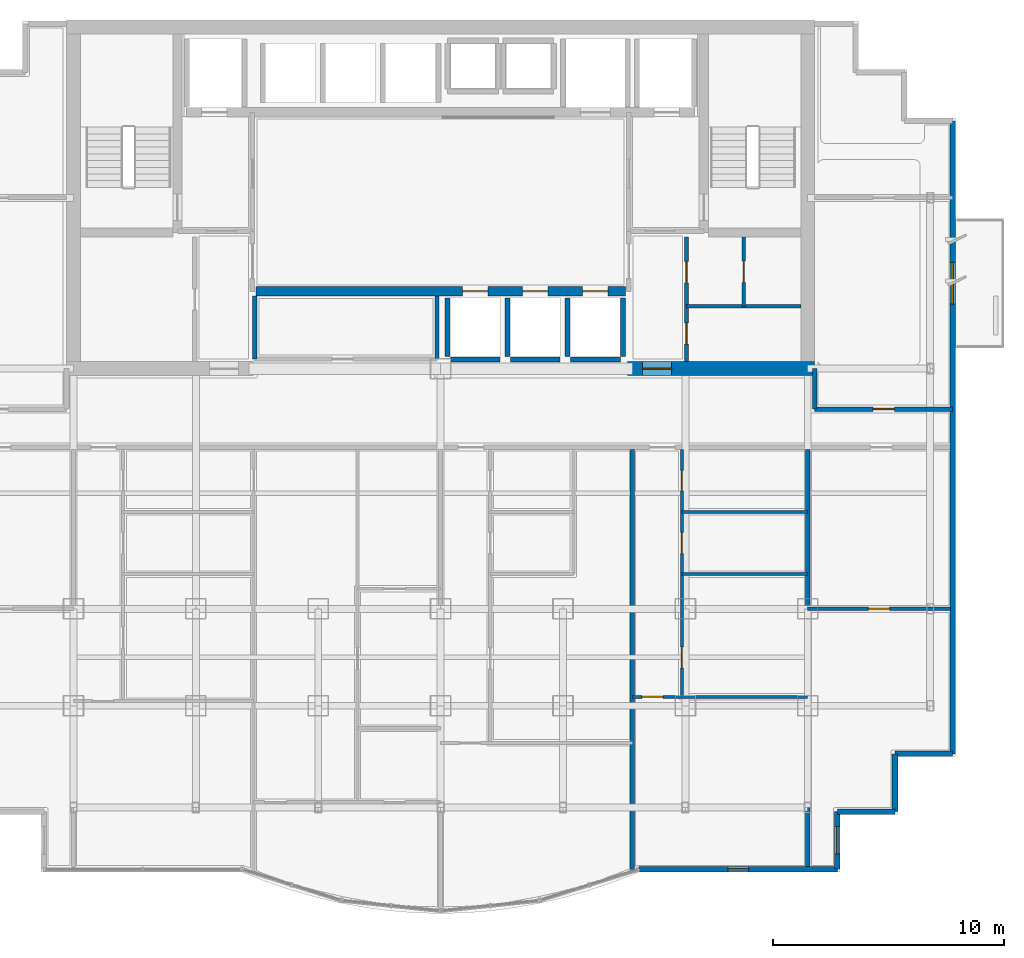
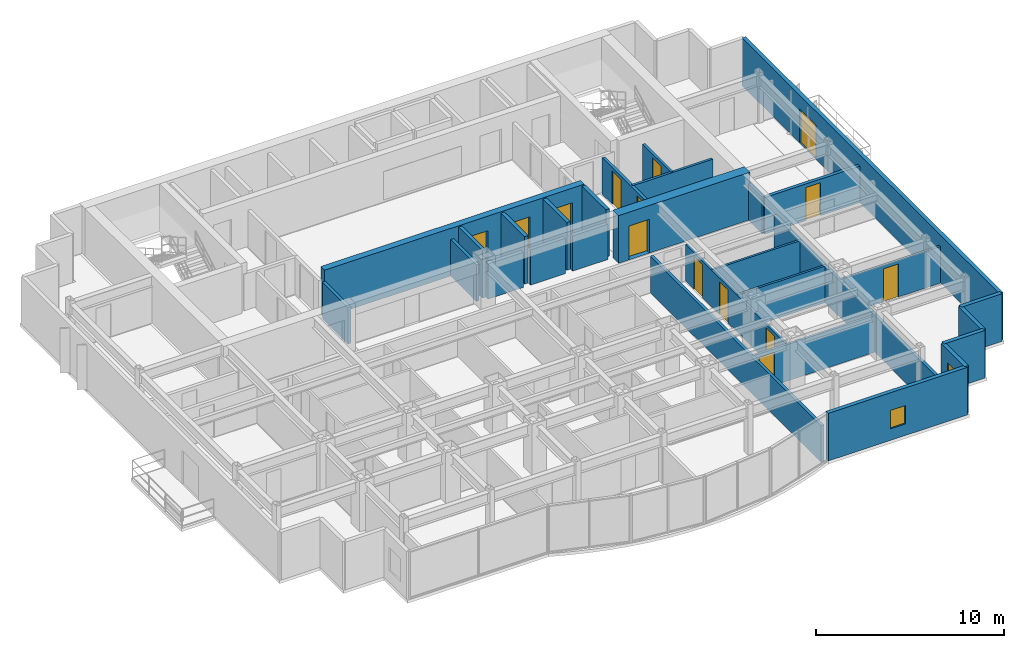
# One storey, part 7 of 11: 29 walls, 14 doors, 2 windows, 16 openings.
"""IFC4 building model written with IfcOpenShell, lengths in metres."""

from ifc_helpers import new_model, si_unit, direction, frame, frame_2d, origin, place, context, subcontext, project, spatial, rectangle, extrude, material, layer, layer_set, type_object, element, fill, save


model = new_model("IFC4")

# Units and contexts
model_context = context("Model", 3, precision=1e-05, world=origin(), true_north=direction((0.0, 1.0)))
body_context = subcontext(model_context, "Body", "Model", "MODEL_VIEW")
ifc_project = project(units=[si_unit("LENGTHUNIT", "METRE"), si_unit("AREAUNIT", "SQUARE_METRE"), si_unit("VOLUMEUNIT", "CUBIC_METRE"), si_unit("PLANEANGLEUNIT", "RADIAN"), si_unit("MASSUNIT", "GRAM", prefix="KILO")], contexts=[model_context])

# Site, building, storey
site_placement = place(None, origin())
site = spatial("IfcSite", under=ifc_project, at=site_placement, CompositionType="ELEMENT")
building_placement = place(site_placement, origin())
building = spatial("IfcBuilding", under=site, at=building_placement, Name="Qianlan Lanfeng Residences", CompositionType="ELEMENT")
storey_placement = place(building_placement, frame((0.0, 0.0, 155.699951171875)))
storey = spatial("IfcBuildingStorey", under=building, at=storey_placement, Name="L42", CompositionType="ELEMENT", Elevation=155.699951171875)

# Wall, openings, doors
ifc_material_1 = material(Name="Concrete C56", Category="concrete")
ifc_layer_1 = layer(ifc_material_1, 0.39990234375)
ifc_layer_set_1 = layer_set([ifc_layer_1], Name="Concrete C56")
wall_type_1 = type_object("IfcWallType", Name="CW-RC-400", PredefinedType="SHEAR", material=ifc_layer_set_1)
wall_1_placement = place(storey_placement, frame((18.5, 28.550048828125, 0.0), z_axis=(0.0, 0.0, 1.0), x_axis=(1.0, 0.0, 0.0)))
wall_1 = element("IfcWall", 1, at=wall_1_placement, inside=storey, type_object=wall_type_1, Name="L42 Core Shear Wall LBS", PredefinedType="SHEAR", context=body_context, shape_type="SweptSolid", body=[
    extrude(rectangle(XDim=16.0, YDim=0.39990234375, at=frame_2d((8.0, 0.0))), origin(), (0.0, 0.0, 1.0), 3.10009765625),
])
opening_1_placement = place(wall_1_placement, frame((8.949951171875, 0.0, 0.0)))
opening_1 = element("IfcOpeningElement", 2, at=opening_1_placement, cuts=wall_1, Name="Opening L42-LD-PL-M1", PredefinedType="OPENING", context=body_context, shape_type="SweptSolid", body=[
    extrude(rectangle(XDim=1.10009765625, YDim=2.14990234375, at=frame_2d((0.550048828125, 1.074951171875))), frame((0.0, 0.2099609375, 0.0), z_axis=(0.0, -1.0, 0.0), x_axis=(1.0, 0.0, 0.0)), (0.0, 0.0, 1.0), 0.419921875),
])
opening_2_placement = place(wall_1_placement, frame((11.550048828125, 0.0, 0.0)))
opening_2 = element("IfcOpeningElement", 3, at=opening_2_placement, cuts=wall_1, Name="Opening L42-LD-PL-M2", PredefinedType="OPENING", context=body_context, shape_type="SweptSolid", body=[
    extrude(rectangle(XDim=1.10009765625, YDim=2.14990234375, at=frame_2d((0.550048828125, 1.074951171875))), frame((0.0, 0.2099609375, 0.0), z_axis=(0.0, -1.0, 0.0), x_axis=(1.0, 0.0, 0.0)), (0.0, 0.0, 1.0), 0.419921875),
])
opening_3_placement = place(wall_1_placement, frame((14.14990234375, 0.0, 0.0)))
opening_3 = element("IfcOpeningElement", 4, at=opening_3_placement, cuts=wall_1, Name="Opening L42-LD-PL-M3", PredefinedType="OPENING", context=body_context, shape_type="SweptSolid", body=[
    extrude(rectangle(XDim=1.10009765625, YDim=2.14990234375, at=frame_2d((0.550048828125, 1.074951171875))), frame((0.0, 0.2099609375, 0.0), z_axis=(0.0, -1.0, 0.0), x_axis=(1.0, 0.0, 0.0)), (0.0, 0.0, 1.0), 0.419921875),
])
ifc_material_2 = material(Name="Brushed Stainless Steel Sliding Lift Door", Category="steel")
door_type_1 = type_object("IfcDoorType", Name="LD-01", OperationType="NOTDEFINED", PredefinedType="DOOR", material=ifc_material_2)
door_1_placement = place(opening_1_placement, origin())
door_1 = element("IfcDoor", 5, at=door_1_placement, inside=storey, type_object=door_type_1, Name="L42 Elevator PL-M1 Sliding Landing Door", OperationType="DOUBLE_DOOR_SLIDING", OverallHeight=2.14990234375, OverallWidth=1.10009765625, PredefinedType="DOOR", context=body_context, shape_type="SweptSolid", body=[
    extrude(rectangle(XDim=1.10009765625, YDim=2.14990234375, at=frame_2d((0.550048828125, 1.074951171875))), frame((0.0, 0.02490234375, 0.0), z_axis=(0.0, -1.0, 0.0), x_axis=(1.0, 0.0, 0.0)), (0.0, 0.0, 1.0), 0.050048828125),
])
fill(opening_1, door_1)
door_2_placement = place(opening_2_placement, origin())
door_2 = element("IfcDoor", 6, at=door_2_placement, inside=storey, type_object=door_type_1, Name="L42 Elevator PL-M2 Sliding Landing Door", OperationType="DOUBLE_DOOR_SLIDING", OverallHeight=2.14990234375, OverallWidth=1.10009765625, PredefinedType="DOOR", context=body_context, shape_type="SweptSolid", body=[
    extrude(rectangle(XDim=1.10009765625, YDim=2.14990234375, at=frame_2d((0.550048828125, 1.074951171875))), frame((0.0, 0.02490234375, 0.0), z_axis=(0.0, -1.0, 0.0), x_axis=(1.0, 0.0, 0.0)), (0.0, 0.0, 1.0), 0.050048828125),
])
fill(opening_2, door_2)
door_3_placement = place(opening_3_placement, origin())
door_3 = element("IfcDoor", 7, at=door_3_placement, inside=storey, type_object=door_type_1, Name="L42 Elevator PL-M3 Sliding Landing Door", OperationType="DOUBLE_DOOR_SLIDING", OverallHeight=2.14990234375, OverallWidth=1.10009765625, PredefinedType="DOOR", context=body_context, shape_type="SweptSolid", body=[
    extrude(rectangle(XDim=1.10009765625, YDim=2.14990234375, at=frame_2d((0.550048828125, 1.074951171875))), frame((0.0, 0.02490234375, 0.0), z_axis=(0.0, -1.0, 0.0), x_axis=(1.0, 0.0, 0.0)), (0.0, 0.0, 1.0), 0.050048828125),
])
fill(opening_3, door_3)

# Wall, opening, door
ifc_layer_2 = layer(ifc_material_1, 0.60009765625)
ifc_layer_set_2 = layer_set([ifc_layer_2], Name="Concrete C56")
wall_type_2 = type_object("IfcWallType", Name="CW-RC-600", PredefinedType="SHEAR", material=ifc_layer_set_2)
wall_2_placement = place(storey_placement, frame((34.60009765625, 25.199951171875, 0.0), z_axis=(0.0, 0.0, 1.0), x_axis=(1.0, 0.0, 0.0)))
wall_2 = element("IfcWall", 8, at=wall_2_placement, inside=storey, type_object=wall_type_2, Name="L42 Core Shear Wall SE", PredefinedType="SHEAR", context=body_context, shape_type="SweptSolid", body=[
    extrude(rectangle(XDim=8.099853515625, YDim=0.60009765625, at=frame_2d((4.0498046875, 0.0))), origin(), (0.0, 0.0, 1.0), 3.10009765625),
])
opening_4_placement = place(wall_2_placement, frame((0.64990234375, 0.0, 0.0)))
opening_4 = element("IfcOpeningElement", 9, at=opening_4_placement, cuts=wall_2, Name="Opening L42-D02", PredefinedType="OPENING", context=body_context, shape_type="SweptSolid", body=[
    extrude(rectangle(XDim=1.25, YDim=2.199951171875, at=frame_2d((0.625, 1.10009765625))), frame((0.0, 0.31005859375, 0.0), z_axis=(0.0, -1.0, 0.0), x_axis=(1.0, 0.0, 0.0)), (0.0, 0.0, 1.0), 0.6201171875),
])
ifc_material_3 = material(Name="Painted Galvanised Steel Fire Door", Category="steel")
door_type_2 = type_object("IfcDoorType", Name="DT-FFL", OperationType="NOTDEFINED", PredefinedType="DOOR", material=ifc_material_3)
door_4_placement = place(opening_4_placement, frame((1.25, 0.0, 0.0), z_axis=(0.0, 0.0, 1.0), x_axis=(-1.0, 0.0, 0.0)))
door_4 = element("IfcDoor", 10, at=door_4_placement, inside=storey, type_object=door_type_2, Name="L42 East Core Lobby Smoke Door L42-D02 (DT-FFL)", OperationType="SINGLE_SWING_LEFT", OverallHeight=2.199951171875, OverallWidth=1.25, PredefinedType="DOOR", context=body_context, shape_type="SweptSolid", body=[
    extrude(rectangle(XDim=1.25, YDim=2.199951171875, at=frame_2d((0.625, 1.10009765625))), frame((0.0, 0.02490234375, 0.0), z_axis=(0.0, -1.0, 0.0), x_axis=(1.0, 0.0, 0.0)), (0.0, 0.0, 1.0), 0.050048828125),
])
fill(opening_4, door_4)

# Wall, opening, window
ifc_material_4 = material(Name="Concrete C42", Category="concrete")
ifc_layer_3 = layer(ifc_material_4, 0.239990234375)
ifc_layer_set_3 = layer_set([ifc_layer_3], Name="Concrete C42")
wall_type_3 = type_object("IfcWallType", Name="EW-240", PredefinedType="SOLIDWALL", material=ifc_layer_set_3)
wall_3_placement = place(storey_placement, frame((35.096923828125, 3.52001953125, 0.0), z_axis=(0.0, 0.0, 1.0), x_axis=(1.0, 0.0, 0.0)))
wall_3 = element("IfcWall", 11, at=wall_3_placement, inside=storey, type_object=wall_type_3, Name="L42 Exterior Facade Spandrel Wall 5", PredefinedType="SOLIDWALL", context=body_context, shape_type="SweptSolid", body=[
    extrude(rectangle(XDim=8.5830078125, YDim=0.239990234375, at=frame_2d((4.29150390625, 0.0))), origin(), (0.0, 0.0, 1.0), 3.10009765625),
])
opening_5_placement = place(wall_3_placement, frame((3.841064453125, 0.0, 0.75)))
opening_5 = element("IfcOpeningElement", 12, at=opening_5_placement, cuts=wall_3, Name="Opening W-04", PredefinedType="OPENING", context=body_context, shape_type="SweptSolid", body=[
    extrude(rectangle(XDim=0.89990234375, YDim=1.199951171875, at=frame_2d((0.449951171875, 0.60009765625))), frame((0.0, 0.1298828125, 0.0), z_axis=(0.0, -1.0, 0.0), x_axis=(1.0, 0.0, 0.0)), (0.0, 0.0, 1.0), 0.260009765625),
])
ifc_material_5 = material(Name="Anodised Bronze Aluminium Framed Double Glazing", Category="aluminium")
window_type_1 = type_object("IfcWindowType", Name="W-04", PartitioningType="SINGLE_PANEL", PredefinedType="WINDOW", material=ifc_material_5)
window_1_placement = place(opening_5_placement, origin())
window_1 = element("IfcWindow", 13, at=window_1_placement, inside=storey, type_object=window_type_1, Name="L42 Facade Punched Window W-04", OverallHeight=1.199951171875, OverallWidth=0.89990234375, PartitioningType="SINGLE_PANEL", PredefinedType="WINDOW", context=body_context, shape_type="SweptSolid", body=[
    extrude(rectangle(XDim=0.89990234375, YDim=1.199951171875, at=frame_2d((0.449951171875, 0.60009765625))), frame((0.0, 0.030029296875, 0.0), z_axis=(0.0, -1.0, 0.0), x_axis=(1.0, 0.0, 0.0)), (0.0, 0.0, 1.0), 0.06005859375),
])
fill(opening_5, window_1)

wall_4_placement = place(storey_placement, frame((43.679931640625, 3.52001953125, 0.0), z_axis=(0.0, 0.0, 1.0), x_axis=(0.0, 1.0, 0.0)))
wall_4 = element("IfcWall", 14, at=wall_4_placement, inside=storey, type_object=wall_type_3, Name="L42 Exterior Facade Spandrel Wall 6", PredefinedType="SOLIDWALL", context=body_context, shape_type="SweptSolid", body=[
    extrude(rectangle(XDim=2.5, YDim=0.239990234375, at=frame_2d((1.25, 0.0))), origin(), (0.0, 0.0, 1.0), 3.10009765625),
])
opening_6_placement = place(wall_4_placement, frame((0.64990234375, 0.0, 0.75)))
opening_6 = element("IfcOpeningElement", 15, at=opening_6_placement, cuts=wall_4, Name="Opening W-03", PredefinedType="OPENING", context=body_context, shape_type="SweptSolid", body=[
    extrude(rectangle(XDim=1.199951171875, YDim=1.5, at=frame_2d((0.60009765625, 0.75))), frame((0.0, 0.1298828125, 0.0), z_axis=(0.0, -1.0, 0.0), x_axis=(1.0, 0.0, 0.0)), (0.0, 0.0, 1.0), 0.260009765625),
])
window_type_2 = type_object("IfcWindowType", Name="W-03", PartitioningType="SINGLE_PANEL", PredefinedType="WINDOW", material=ifc_material_5)
window_2_placement = place(opening_6_placement, origin())
window_2 = element("IfcWindow", 16, at=window_2_placement, inside=storey, type_object=window_type_2, Name="L42 Facade Punched Window W-03", OverallHeight=1.5, OverallWidth=1.199951171875, PartitioningType="SINGLE_PANEL", PredefinedType="WINDOW", context=body_context, shape_type="SweptSolid", body=[
    extrude(rectangle(XDim=1.199951171875, YDim=1.5, at=frame_2d((0.60009765625, 0.75))), frame((0.0, 0.030029296875, 0.0), z_axis=(0.0, -1.0, 0.0), x_axis=(1.0, 0.0, 0.0)), (0.0, 0.0, 1.0), 0.06005859375),
])
fill(opening_6, window_2)

# Walls
for number, where, z_axis, x_axis, name in (
    (17, (43.679931640625, 6.02001953125, 0.0), (0.0, 0.0, 1.0), (1.0, 0.0, 0.0), "L42 Exterior Facade Spandrel Wall 7"),
    (18, (46.179931640625, 6.02001953125, 0.0), (0.0, 0.0, 1.0), (0.0, 1.0, 0.0), "L42 Exterior Facade Spandrel Wall 8"),
    (19, (46.179931640625, 8.52001953125, 0.0), (0.0, 0.0, 1.0), (1.0, 0.0, 0.0), "L42 Exterior Facade Spandrel Wall 9"),
):
    element("IfcWall", number, at=place(storey_placement, frame(where, z_axis=z_axis, x_axis=x_axis)), inside=storey, type_object=wall_type_3, Name=name, PredefinedType="SOLIDWALL", context=body_context, shape_type="SweptSolid", body=[
        extrude(rectangle(XDim=2.5, YDim=0.239990234375, at=frame_2d((1.25, 0.0))), origin(), (0.0, 0.0, 1.0), 3.10009765625),
    ])

# Wall, opening, door
wall_5_placement = place(storey_placement, frame((48.679931640625, 8.52001953125, 0.0), z_axis=(0.0, 0.0, 1.0), x_axis=(0.0, 1.0, 0.0)))
wall_5 = element("IfcWall", 20, at=wall_5_placement, inside=storey, type_object=wall_type_3, Name="L42 Terrace/Balcony Access Exterior Wall 10", PredefinedType="SOLIDWALL", context=body_context, shape_type="SweptSolid", body=[
    extrude(rectangle(XDim=27.409912109375, YDim=0.239990234375, at=frame_2d((13.705078125, 0.0))), origin(), (0.0, 0.0, 1.0), 3.10009765625),
])
opening_7_placement = place(wall_5_placement, frame((19.47998046875, 0.0, 0.0)))
opening_7 = element("IfcOpeningElement", 21, at=opening_7_placement, cuts=wall_5, Name="Opening L42-D-EB-N", PredefinedType="OPENING", context=body_context, shape_type="SweptSolid", body=[
    extrude(rectangle(XDim=1.800048828125, YDim=2.199951171875, at=frame_2d((0.89990234375, 1.10009765625))), frame((0.0, 0.1298828125, 0.0), z_axis=(0.0, -1.0, 0.0), x_axis=(1.0, 0.0, 0.0)), (0.0, 0.0, 1.0), 0.260009765625),
])
ifc_material_6 = material(Name="Anodised Bronze Aluminium Framed Glass", Category="aluminium")
door_type_3 = type_object("IfcDoorType", Name="DT-BAL1", OperationType="NOTDEFINED", PredefinedType="DOOR", material=ifc_material_6)
door_5_placement = place(opening_7_placement, frame((1.800048828125, 0.0, 0.0), z_axis=(0.0, 0.0, 1.0), x_axis=(-1.0, 0.0, 0.0)))
door_5 = element("IfcDoor", 22, at=door_5_placement, inside=storey, type_object=door_type_3, Name="L42 Exterior Access Door EB-N", OperationType="DOUBLE_DOOR_SLIDING", OverallHeight=2.199951171875, OverallWidth=1.800048828125, PredefinedType="DOOR", context=body_context, shape_type="SweptSolid", body=[
    extrude(rectangle(XDim=1.800048828125, YDim=2.199951171875, at=frame_2d((0.89990234375, 1.10009765625))), frame((0.0, 0.02490234375, 0.0), z_axis=(0.0, -1.0, 0.0), x_axis=(1.0, 0.0, 0.0)), (0.0, 0.0, 1.0), 0.050048828125),
])
fill(opening_7, door_5)

ifc_material_7 = material(Name="Moisture-Resistant Gypsum Partition 135 mm")
ifc_layer_4 = layer(ifc_material_7, 0.135009765625)
ifc_layer_set_4 = layer_set([ifc_layer_4], Name="Moisture-Resistant Gypsum Partition 135 mm")
wall_type_4 = type_object("IfcWallType", Name="PW-135", PredefinedType="PARTITIONING", material=ifc_layer_set_4)
wall_6_placement = place(storey_placement, frame((34.800048828125, 10.988037109375, 0.0), z_axis=(0.0, 0.0, 1.0), x_axis=(1.0, 0.0, 0.0)))
wall_6 = element("IfcWall", 23, at=wall_6_placement, inside=storey, type_object=wall_type_4, Name="L42 U03 Living Divider", PredefinedType="PARTITIONING", context=body_context, shape_type="SweptSolid", body=[
    extrude(rectangle(XDim=7.599853515625, YDim=0.135009765625, at=frame_2d((3.7998046875, 0.0))), origin(), (0.0, 0.0, 1.0), 2.380126953125),
])
opening_8_placement = place(wall_6_placement, frame((0.4150390625, 0.0, 0.0)))
opening_8 = element("IfcOpeningElement", 24, at=opening_8_placement, cuts=wall_6, Name="Opening L42-D32", PredefinedType="OPENING", context=body_context, shape_type="SweptSolid", body=[
    extrude(rectangle(XDim=0.919921875, YDim=2.14990234375, at=frame_2d((0.4599609375, 1.074951171875))), frame((0.0, 0.07763671875, 0.0), z_axis=(0.0, -1.0, 0.0), x_axis=(1.0, 0.0, 0.0)), (0.0, 0.0, 1.0), 0.155029296875),
])
ifc_material_8 = material(Name="Glazed Timber Kitchen/Study Door", Category="wood")
door_type_4 = type_object("IfcDoorType", Name="DT-INT", OperationType="NOTDEFINED", PredefinedType="DOOR", material=ifc_material_8)
door_6_placement = place(opening_8_placement, origin())
door_6 = element("IfcDoor", 25, at=door_6_placement, inside=storey, type_object=door_type_4, Name="L42 U03 Living Passage Door L42-D32 (DT-INT)", OperationType="SINGLE_SWING_RIGHT", OverallHeight=2.14990234375, OverallWidth=0.919921875, PredefinedType="DOOR", context=body_context, shape_type="SweptSolid", body=[
    extrude(rectangle(XDim=0.919921875, YDim=2.14990234375, at=frame_2d((0.4599609375, 1.074951171875))), frame((0.0, 0.02490234375, 0.0), z_axis=(0.0, -1.0, 0.0), x_axis=(1.0, 0.0, 0.0)), (0.0, 0.0, 1.0), 0.050048828125),
])
fill(opening_8, door_6)

# Wall, openings, doors
wall_7_placement = place(storey_placement, frame((36.949951171875, 10.988037109375, 0.0), z_axis=(0.0, 0.0, 1.0), x_axis=(0.0, 1.0, 0.0)))
wall_7 = element("IfcWall", 26, at=wall_7_placement, inside=storey, type_object=wall_type_4, Name="L42 U03 Entry Hall Spine", PredefinedType="PARTITIONING", context=body_context, shape_type="SweptSolid", body=[
    extrude(rectangle(XDim=10.7119140625, YDim=0.135009765625, at=frame_2d((5.35595703125, 0.0))), origin(), (0.0, 0.0, 1.0), 2.380126953125),
])
opening_9_placement = place(wall_7_placement, frame((1.24609375, 0.0, 0.0)))
opening_9 = element("IfcOpeningElement", 27, at=opening_9_placement, cuts=wall_7, Name="Opening L42-D33", PredefinedType="OPENING", context=body_context, shape_type="SweptSolid", body=[
    extrude(rectangle(XDim=0.919921875, YDim=2.14990234375, at=frame_2d((0.4599609375, 1.074951171875))), frame((0.0, 0.07763671875, 0.0), z_axis=(0.0, -1.0, 0.0), x_axis=(1.0, 0.0, 0.0)), (0.0, 0.0, 1.0), 0.155029296875),
])
opening_10_placement = place(wall_7_placement, frame((6.201904296875, 0.0, 0.0)))
opening_10 = element("IfcOpeningElement", 28, at=opening_10_placement, cuts=wall_7, Name="Opening L42-D34", PredefinedType="OPENING", context=body_context, shape_type="SweptSolid", body=[
    extrude(rectangle(XDim=0.919921875, YDim=2.14990234375, at=frame_2d((0.4599609375, 1.074951171875))), frame((0.0, 0.07763671875, 0.0), z_axis=(0.0, -1.0, 0.0), x_axis=(1.0, 0.0, 0.0)), (0.0, 0.0, 1.0), 0.155029296875),
])
opening_11_placement = place(wall_7_placement, frame((8.912109375, 0.0, 0.0)))
opening_11 = element("IfcOpeningElement", 29, at=opening_11_placement, cuts=wall_7, Name="Opening L42-D35", PredefinedType="OPENING", context=body_context, shape_type="SweptSolid", body=[
    extrude(rectangle(XDim=0.89990234375, YDim=2.14990234375, at=frame_2d((0.449951171875, 1.074951171875))), frame((0.0, 0.07763671875, 0.0), z_axis=(0.0, -1.0, 0.0), x_axis=(1.0, 0.0, 0.0)), (0.0, 0.0, 1.0), 0.155029296875),
])
door_7_placement = place(opening_9_placement, origin())
door_7 = element("IfcDoor", 30, at=door_7_placement, inside=storey, type_object=door_type_4, Name="L42 U03 Study Door L42-D33 (DT-INT)", OperationType="SINGLE_SWING_LEFT", OverallHeight=2.14990234375, OverallWidth=0.919921875, PredefinedType="DOOR", context=body_context, shape_type="SweptSolid", body=[
    extrude(rectangle(XDim=0.919921875, YDim=2.14990234375, at=frame_2d((0.4599609375, 1.074951171875))), frame((0.0, 0.02490234375, 0.0), z_axis=(0.0, -1.0, 0.0), x_axis=(1.0, 0.0, 0.0)), (0.0, 0.0, 1.0), 0.050048828125),
])
fill(opening_9, door_7)
door_8_placement = place(opening_10_placement, origin())
door_8 = element("IfcDoor", 31, at=door_8_placement, inside=storey, type_object=door_type_4, Name="L42 U03 Kitchen Door L42-D34 (DT-INT)", OperationType="SINGLE_SWING_RIGHT", OverallHeight=2.14990234375, OverallWidth=0.919921875, PredefinedType="DOOR", context=body_context, shape_type="SweptSolid", body=[
    extrude(rectangle(XDim=0.919921875, YDim=2.14990234375, at=frame_2d((0.4599609375, 1.074951171875))), frame((0.0, 0.02490234375, 0.0), z_axis=(0.0, -1.0, 0.0), x_axis=(1.0, 0.0, 0.0)), (0.0, 0.0, 1.0), 0.050048828125),
])
fill(opening_10, door_8)
ifc_material_9 = material(Name="Moisture-Resistant Timber Leaf", Category="wood")
door_type_5 = type_object("IfcDoorType", Name="DT-WC", OperationType="NOTDEFINED", PredefinedType="DOOR", material=ifc_material_9)
door_9_placement = place(opening_11_placement, origin())
door_9 = element("IfcDoor", 32, at=door_9_placement, inside=storey, type_object=door_type_5, Name="L42 U03 Bathroom Door L42-D35 (DT-WC)", OperationType="SINGLE_SWING_LEFT", OverallHeight=2.14990234375, OverallWidth=0.89990234375, PredefinedType="DOOR", context=body_context, shape_type="SweptSolid", body=[
    extrude(rectangle(XDim=0.89990234375, YDim=2.14990234375, at=frame_2d((0.449951171875, 1.074951171875))), frame((0.0, 0.02490234375, 0.0), z_axis=(0.0, -1.0, 0.0), x_axis=(1.0, 0.0, 0.0)), (0.0, 0.0, 1.0), 0.050048828125),
])
fill(opening_11, door_9)

# Walls
for number, where, z_axis, x_axis, name in (
    (33, (36.949951171875, 16.300048828125, 0.0), (0.0, 0.0, 1.0), (1.0, 0.0, 0.0), "L42 U03 Kitchen South Wall"),
    (34, (36.949951171875, 19.0, 0.0), (0.0, 0.0, 1.0), (1.0, 0.0, 0.0), "L42 U03 Bathroom South Wall"),
):
    element("IfcWall", number, at=place(storey_placement, frame(where, z_axis=z_axis, x_axis=x_axis)), inside=storey, type_object=wall_type_4, Name=name, PredefinedType="PARTITIONING", context=body_context, shape_type="SweptSolid", body=[
        extrude(rectangle(XDim=5.449951171875, YDim=0.135009765625, at=frame_2d((2.72509765625, 0.0))), origin(), (0.0, 0.0, 1.0), 2.380126953125),
    ])

# Wall, opening, door
wall_8_placement = place(storey_placement, frame((42.39990234375, 14.800048828125, 0.0), z_axis=(0.0, 0.0, 1.0), x_axis=(1.0, 0.0, 0.0)))
wall_8 = element("IfcWall", 35, at=wall_8_placement, inside=storey, type_object=wall_type_4, Name="L42 SEP Mid Partition", PredefinedType="PARTITIONING", context=body_context, shape_type="SweptSolid", body=[
    extrude(rectangle(XDim=6.18017578125, YDim=0.135009765625, at=frame_2d((3.090087890625, 0.0))), origin(), (0.0, 0.0, 1.0), 2.380126953125),
])
opening_12_placement = place(wall_8_placement, frame((2.6298828125, 0.0, 0.0)))
opening_12 = element("IfcOpeningElement", 36, at=opening_12_placement, cuts=wall_8, Name="Opening L42-D38", PredefinedType="OPENING", context=body_context, shape_type="SweptSolid", body=[
    extrude(rectangle(XDim=0.919921875, YDim=2.14990234375, at=frame_2d((0.4599609375, 1.074951171875))), frame((0.0, 0.07763671875, 0.0), z_axis=(0.0, -1.0, 0.0), x_axis=(1.0, 0.0, 0.0)), (0.0, 0.0, 1.0), 0.155029296875),
])
door_10_placement = place(opening_12_placement, origin())
door_10 = element("IfcDoor", 37, at=door_10_placement, inside=storey, type_object=door_type_4, Name="L42 SEP Inner Door L42-D38 (DT-INT)", OperationType="SINGLE_SWING_RIGHT", OverallHeight=2.14990234375, OverallWidth=0.919921875, PredefinedType="DOOR", context=body_context, shape_type="SweptSolid", body=[
    extrude(rectangle(XDim=0.919921875, YDim=2.14990234375, at=frame_2d((0.4599609375, 1.074951171875))), frame((0.0, 0.02490234375, 0.0), z_axis=(0.0, -1.0, 0.0), x_axis=(1.0, 0.0, 0.0)), (0.0, 0.0, 1.0), 0.050048828125),
])
fill(opening_12, door_10)

# Wall
ifc_material_10 = material(Name="Acoustic Drywall Partition 150 mm")
ifc_layer_5 = layer(ifc_material_10, 0.14990234375)
ifc_layer_set_5 = layer_set([ifc_layer_5], Name="Acoustic Drywall Partition 150 mm")
wall_type_5 = type_object("IfcWallType", Name="PW-150", PredefinedType="PARTITIONING", material=ifc_layer_set_5)
wall_9_placement = place(storey_placement, frame((37.14990234375, 27.89990234375, 0.0), z_axis=(0.0, 0.0, 1.0), x_axis=(1.0, 0.0, 0.0)))
element("IfcWall", 38, at=wall_9_placement, inside=storey, type_object=wall_type_5, Name="L42 Core East H Split", PredefinedType="PARTITIONING", context=body_context, shape_type="SweptSolid", body=[
    extrude(rectangle(XDim=4.9501953125, YDim=0.14990234375, at=frame_2d((2.47509765625, 0.0))), origin(), (0.0, 0.0, 1.0), 2.380126953125),
])

# Wall, opening, door
wall_10_placement = place(storey_placement, frame((39.625, 27.89990234375, 0.0), z_axis=(0.0, 0.0, 1.0), x_axis=(0.0, 1.0, 0.0)))
wall_10 = element("IfcWall", 39, at=wall_10_placement, inside=storey, type_object=wall_type_5, Name="L42 Core East V Split", PredefinedType="PARTITIONING", context=body_context, shape_type="SweptSolid", body=[
    extrude(rectangle(XDim=3.0, YDim=0.14990234375, at=frame_2d((1.5, 0.0))), origin(), (0.0, 0.0, 1.0), 2.380126953125),
])
opening_13_placement = place(wall_10_placement, frame((1.0400390625, 0.0, 0.0)))
opening_13 = element("IfcOpeningElement", 40, at=opening_13_placement, cuts=wall_10, Name="Opening L42-D12", PredefinedType="OPENING", context=body_context, shape_type="SweptSolid", body=[
    extrude(rectangle(XDim=0.919921875, YDim=2.14990234375, at=frame_2d((0.4599609375, 1.074951171875))), frame((0.0, 0.0849609375, 0.0), z_axis=(0.0, -1.0, 0.0), x_axis=(1.0, 0.0, 0.0)), (0.0, 0.0, 1.0), 0.169921875),
])
door_11_placement = place(opening_13_placement, origin())
door_11 = element("IfcDoor", 41, at=door_11_placement, inside=storey, type_object=door_type_4, Name="L42 Inner Supply Closet Door L42-D12 (DT-INT)", OperationType="SINGLE_SWING_RIGHT", OverallHeight=2.14990234375, OverallWidth=0.919921875, PredefinedType="DOOR", context=body_context, shape_type="SweptSolid", body=[
    extrude(rectangle(XDim=0.919921875, YDim=2.14990234375, at=frame_2d((0.4599609375, 1.074951171875))), frame((0.0, 0.02490234375, 0.0), z_axis=(0.0, -1.0, 0.0), x_axis=(1.0, 0.0, 0.0)), (0.0, 0.0, 1.0), 0.050048828125),
])
fill(opening_13, door_11)

# Wall, openings, doors
ifc_material_11 = material(Name="Double-Layer Acoustic Gypsum Stud Wall 180 mm")
ifc_layer_6 = layer(ifc_material_11, 0.179931640625)
ifc_layer_set_6 = layer_set([ifc_layer_6], Name="Double-Layer Acoustic Gypsum Stud Wall 180 mm")
wall_type_6 = type_object("IfcWallType", Name="PW-180", PredefinedType="PARTITIONING", material=ifc_layer_set_6)
wall_11_placement = place(storey_placement, frame((37.14990234375, 25.5, 0.0), z_axis=(0.0, 0.0, 1.0), x_axis=(0.0, 1.0, 0.0)))
wall_11 = element("IfcWall", 42, at=wall_11_placement, inside=storey, type_object=wall_type_6, Name="L42 Core East Service Room Wall", PredefinedType="PARTITIONING", context=body_context, shape_type="SweptSolid", body=[
    extrude(rectangle(XDim=5.39990234375, YDim=0.179931640625, at=frame_2d((2.699951171875, 0.0))), origin(), (0.0, 0.0, 1.0), 2.380126953125),
])
opening_14_placement = place(wall_11_placement, frame((0.764892578125, 0.0, 0.0)))
opening_14 = element("IfcOpeningElement", 43, at=opening_14_placement, cuts=wall_11, Name="Opening L42-D10", PredefinedType="OPENING", context=body_context, shape_type="SweptSolid", body=[
    extrude(rectangle(XDim=0.919921875, YDim=2.14990234375, at=frame_2d((0.4599609375, 1.074951171875))), frame((0.0, 0.10009765625, 0.0), z_axis=(0.0, -1.0, 0.0), x_axis=(1.0, 0.0, 0.0)), (0.0, 0.0, 1.0), 0.199951171875),
])
opening_15_placement = place(wall_11_placement, frame((3.4150390625, 0.0, 0.0)))
opening_15 = element("IfcOpeningElement", 44, at=opening_15_placement, cuts=wall_11, Name="Opening L42-D11", PredefinedType="OPENING", context=body_context, shape_type="SweptSolid", body=[
    extrude(rectangle(XDim=0.919921875, YDim=2.14990234375, at=frame_2d((0.4599609375, 1.074951171875))), frame((0.0, 0.10009765625, 0.0), z_axis=(0.0, -1.0, 0.0), x_axis=(1.0, 0.0, 0.0)), (0.0, 0.0, 1.0), 0.199951171875),
])
door_12_placement = place(opening_14_placement, origin())
door_12 = element("IfcDoor", 45, at=door_12_placement, inside=storey, type_object=door_type_4, Name="L42 Refuse Room Door L42-D10 (DT-INT)", OperationType="SINGLE_SWING_LEFT", OverallHeight=2.14990234375, OverallWidth=0.919921875, PredefinedType="DOOR", context=body_context, shape_type="SweptSolid", body=[
    extrude(rectangle(XDim=0.919921875, YDim=2.14990234375, at=frame_2d((0.4599609375, 1.074951171875))), frame((0.0, 0.02490234375, 0.0), z_axis=(0.0, -1.0, 0.0), x_axis=(1.0, 0.0, 0.0)), (0.0, 0.0, 1.0), 0.050048828125),
])
fill(opening_14, door_12)
door_13_placement = place(opening_15_placement, origin())
door_13 = element("IfcDoor", 46, at=door_13_placement, inside=storey, type_object=door_type_4, Name="L42 Janitor Outer Door L42-D11 (DT-INT)", OperationType="SINGLE_SWING_LEFT", OverallHeight=2.14990234375, OverallWidth=0.919921875, PredefinedType="DOOR", context=body_context, shape_type="SweptSolid", body=[
    extrude(rectangle(XDim=0.919921875, YDim=2.14990234375, at=frame_2d((0.4599609375, 1.074951171875))), frame((0.0, 0.02490234375, 0.0), z_axis=(0.0, -1.0, 0.0), x_axis=(1.0, 0.0, 0.0)), (0.0, 0.0, 1.0), 0.050048828125),
])
fill(opening_15, door_13)

# Walls
for number, where, z_axis, x_axis, name in (
    (47, (18.449951171875, 25.6201171875, 0.0), (0.0, 0.0, 1.0), (0.0, 1.0, 0.0), "L42 Reclaimed Low-Bank Room West Wall"),
    (48, (26.35009765625, 25.6201171875, 0.0), (0.0, 0.0, 1.0), (0.0, 1.0, 0.0), "L42 Reclaimed Low-Bank Room East Wall"),
):
    element("IfcWall", number, at=place(storey_placement, frame(where, z_axis=z_axis, x_axis=x_axis)), inside=storey, type_object=wall_type_6, Name=name, PredefinedType="PARTITIONING", context=body_context, shape_type="SweptSolid", body=[
        extrude(rectangle(XDim=2.72998046875, YDim=0.179931640625, at=frame_2d((1.364990234375, 0.0))), origin(), (0.0, 0.0, 1.0), 2.380126953125),
    ])
wall_12_placement = place(storey_placement, frame((42.39990234375, 3.6201171875, 0.0), z_axis=(0.0, 0.0, 1.0), x_axis=(0.0, 1.0, 0.0)))
element("IfcWall", 49, at=wall_12_placement, inside=storey, type_object=wall_type_6, Name="L42 Wing Boundary Party Wall E0", PredefinedType="PARTITIONING", context=body_context, shape_type="SweptSolid", body=[
    extrude(rectangle(XDim=18.079833984375, YDim=0.179931640625, at=frame_2d((9.0400390625, 0.0))), origin(), (0.0, 0.0, 1.0), 2.380126953125),
])
wall_13_placement = place(storey_placement, frame((34.800048828125, 3.510986328125, 0.0), z_axis=(0.0, 0.0, 1.0), x_axis=(0.0, 1.0, 0.0)))
element("IfcWall", 50, at=wall_13_placement, inside=storey, type_object=wall_type_6, Name="L42 Inter-Tenancy Party Wall 3", PredefinedType="PARTITIONING", context=body_context, shape_type="SweptSolid", body=[
    extrude(rectangle(XDim=18.18896484375, YDim=0.179931640625, at=frame_2d((9.094482421875, 0.0))), origin(), (0.0, 0.0, 1.0), 2.380126953125),
])

# Wall, opening, door
ifc_material_12 = material(Name="Autoclaved Aerated Concrete Blockwork 200 mm", Category="masonry")
ifc_layer_7 = layer(ifc_material_12, 0.199951171875)
ifc_layer_set_7 = layer_set([ifc_layer_7], Name="Autoclaved Aerated Concrete Blockwork 200 mm")
wall_type_7 = type_object("IfcWallType", Name="PW-200", PredefinedType="PARTITIONING", material=ifc_layer_set_7)
wall_14_placement = place(storey_placement, frame((42.699951171875, 23.449951171875, 0.0), z_axis=(0.0, 0.0, 1.0), x_axis=(1.0, 0.0, 0.0)))
wall_14 = element("IfcWall", 51, at=wall_14_placement, inside=storey, type_object=wall_type_7, Name="L42 Corridor NE Wall", PredefinedType="PARTITIONING", context=body_context, shape_type="SweptSolid", body=[
    extrude(rectangle(XDim=5.97998046875, YDim=0.199951171875, at=frame_2d((2.989990234375, 0.0))), origin(), (0.0, 0.0, 1.0), 2.380126953125),
])
opening_16_placement = place(wall_14_placement, frame((2.530029296875, 0.0, 0.0)))
opening_16 = element("IfcOpeningElement", 52, at=opening_16_placement, cuts=wall_14, Name="Opening L42-D43", PredefinedType="OPENING", context=body_context, shape_type="SweptSolid", body=[
    extrude(rectangle(XDim=0.919921875, YDim=2.14990234375, at=frame_2d((0.4599609375, 1.074951171875))), frame((0.0, 0.10986328125, 0.0), z_axis=(0.0, -1.0, 0.0), x_axis=(1.0, 0.0, 0.0)), (0.0, 0.0, 1.0), 0.219970703125),
])
door_14_placement = place(opening_16_placement, origin())
door_14 = element("IfcDoor", 53, at=door_14_placement, inside=storey, type_object=door_type_4, Name="L42 EW Amenity Salon Door L42-D43 (DT-INT)", OperationType="SINGLE_SWING_LEFT", OverallHeight=2.14990234375, OverallWidth=0.919921875, PredefinedType="DOOR", context=body_context, shape_type="SweptSolid", body=[
    extrude(rectangle(XDim=0.919921875, YDim=2.14990234375, at=frame_2d((0.4599609375, 1.074951171875))), frame((0.0, 0.02490234375, 0.0), z_axis=(0.0, -1.0, 0.0), x_axis=(1.0, 0.0, 0.0)), (0.0, 0.0, 1.0), 0.050048828125),
])
fill(opening_16, door_14)

# Walls
wall_15_placement = place(storey_placement, frame((42.699951171875, 23.449951171875, 0.0), z_axis=(0.0, 0.0, 1.0), x_axis=(0.0, 1.0, 0.0)))
element("IfcWall", 54, at=wall_15_placement, inside=storey, type_object=wall_type_7, Name="L42 NE Wing Core Return Wall", PredefinedType="PARTITIONING", context=body_context, shape_type="SweptSolid", body=[
    extrude(rectangle(XDim=1.75, YDim=0.199951171875, at=frame_2d((0.875, 0.0))), origin(), (0.0, 0.0, 1.0), 2.380126953125),
])
ifc_material_13 = material(Name="Concrete C49", Category="concrete")
ifc_layer_8 = layer(ifc_material_13, 0.219970703125)
ifc_layer_set_8 = layer_set([ifc_layer_8], Name="Concrete C49")
wall_type_8 = type_object("IfcWallType", Name="SHW-220", PredefinedType="SOLIDWALL", material=ifc_layer_set_8)
wall_16_placement = place(storey_placement, frame((26.800048828125, 25.719970703125, 0.0), z_axis=(0.0, 0.0, 1.0), x_axis=(0.0, 1.0, 0.0)))
element("IfcWall", 55, at=wall_16_placement, inside=storey, type_object=wall_type_8, Name="L42 Lift PL-M1 Shaft Wall W", PredefinedType="SOLIDWALL", context=body_context, shape_type="SweptSolid", body=[
    extrude(rectangle(XDim=2.530029296875, YDim=0.219970703125, at=frame_2d((1.26513671875, 0.0))), origin(), (0.0, 0.0, 1.0), 3.10009765625),
])
wall_17_placement = place(storey_placement, frame((26.919921875, 25.60009765625, 0.0), z_axis=(0.0, 0.0, 1.0), x_axis=(1.0, 0.0, 0.0)))
element("IfcWall", 56, at=wall_17_placement, inside=storey, type_object=wall_type_8, Name="L42 Lift PL-M1 Shaft Back Wall S", PredefinedType="SOLIDWALL", context=body_context, shape_type="SweptSolid", body=[
    extrude(rectangle(XDim=2.16015625, YDim=0.219970703125, at=frame_2d((1.080078125, 0.0))), origin(), (0.0, 0.0, 1.0), 2.295166015625),
])
wall_18_placement = place(storey_placement, frame((29.39990234375, 25.719970703125, 0.0), z_axis=(0.0, 0.0, 1.0), x_axis=(0.0, 1.0, 0.0)))
element("IfcWall", 57, at=wall_18_placement, inside=storey, type_object=wall_type_8, Name="L42 Lift PL-M2 Shaft Wall W", PredefinedType="SOLIDWALL", context=body_context, shape_type="SweptSolid", body=[
    extrude(rectangle(XDim=2.530029296875, YDim=0.219970703125, at=frame_2d((1.26513671875, 0.0))), origin(), (0.0, 0.0, 1.0), 3.10009765625),
])
wall_19_placement = place(storey_placement, frame((29.52001953125, 25.60009765625, 0.0), z_axis=(0.0, 0.0, 1.0), x_axis=(1.0, 0.0, 0.0)))
element("IfcWall", 58, at=wall_19_placement, inside=storey, type_object=wall_type_8, Name="L42 Lift PL-M2 Shaft Back Wall S", PredefinedType="SOLIDWALL", context=body_context, shape_type="SweptSolid", body=[
    extrude(rectangle(XDim=2.159912109375, YDim=0.219970703125, at=frame_2d((1.080078125, 0.0))), origin(), (0.0, 0.0, 1.0), 2.295166015625),
])
for number, where, z_axis, x_axis, name in (
    (59, (32.0, 25.719970703125, 0.0), (0.0, 0.0, 1.0), (0.0, 1.0, 0.0), "L42 Lift PL-M3 Shaft Wall W"),
    (60, (34.39990234375, 25.719970703125, 0.0), (0.0, 0.0, 1.0), (0.0, 1.0, 0.0), "L42 Lift PL-M3 Shaft Wall E"),
):
    element("IfcWall", number, at=place(storey_placement, frame(where, z_axis=z_axis, x_axis=x_axis)), inside=storey, type_object=wall_type_8, Name=name, PredefinedType="SOLIDWALL", context=body_context, shape_type="SweptSolid", body=[
        extrude(rectangle(XDim=2.530029296875, YDim=0.219970703125, at=frame_2d((1.26513671875, 0.0))), origin(), (0.0, 0.0, 1.0), 3.10009765625),
    ])
wall_20_placement = place(storey_placement, frame((32.1201171875, 25.60009765625, 0.0), z_axis=(0.0, 0.0, 1.0), x_axis=(1.0, 0.0, 0.0)))
element("IfcWall", 61, at=wall_20_placement, inside=storey, type_object=wall_type_8, Name="L42 Lift PL-M3 Shaft Back Wall S", PredefinedType="SOLIDWALL", context=body_context, shape_type="SweptSolid", body=[
    extrude(rectangle(XDim=2.159912109375, YDim=0.219970703125, at=frame_2d((1.080078125, 0.0))), origin(), (0.0, 0.0, 1.0), 2.295166015625),
])

save(model, "model.ifc")
